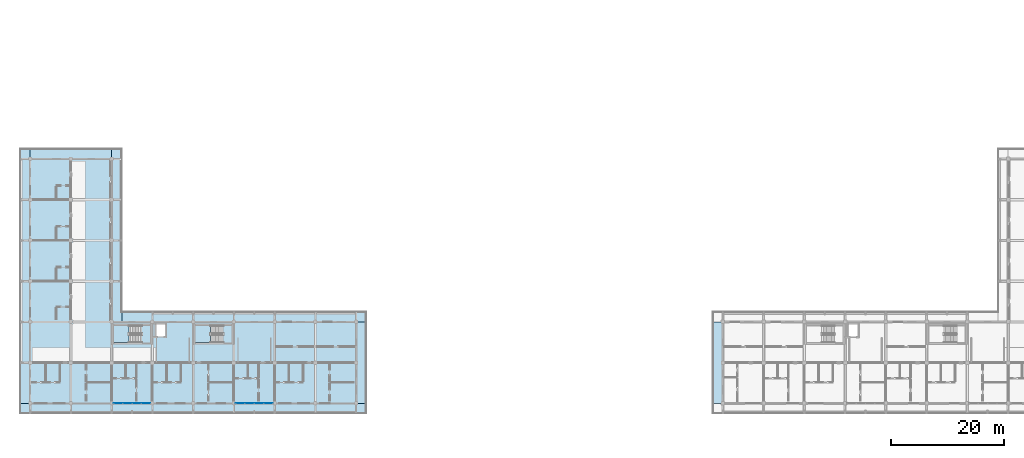
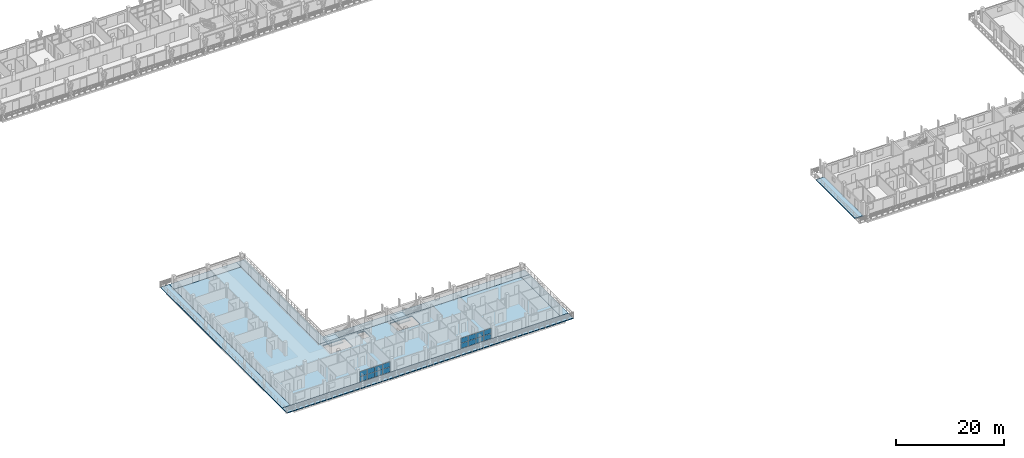
# One storey, part 33 of 76: 16 plates, 10 slabs, 4 elements without a shape of their own.
"""IFC4 building model written with IfcOpenShell, lengths in metres."""

import ifcopenshell
import ifcopenshell.guid

model = None  # the IFC model being written
_history = None  # IfcOwnerHistory: only IFC2X3 demands one
_inside = {}  # id of a spatial element -> (the spatial element, [elements in it])
_under = {}  # id of a project, library or spatial element -> (it, [spatial elements below it])
_declared = {}  # id of a project -> (the project, [libraries it declares])
_typed = {}  # id of a type object -> (the type object, [elements of that type])
_made_of = {}  # id of a material, layer set ... -> (it, [elements and type objects made of it])


def new_model(schema):
    """Start an empty IFC model of exactly this schema.

    Asked for "IFC4X3", IfcOpenShell would pick the latest addendum, in which some entities
    have other attributes; the version numbers below select the first issue.
    IFC2X3 requires an IfcOwnerHistory on every rooted entity: one is made here for all.
    """
    global model, _history
    if schema == "IFC4X3":
        model = ifcopenshell.file(schema_version=(4, 3, 0, 0))
    else:
        model = ifcopenshell.file(schema=schema)
    _inside.clear()
    _under.clear()
    _declared.clear()
    _typed.clear()
    _made_of.clear()
    _history = None
    if model.schema == "IFC2X3":
        org = make("IfcOrganization", Name="unknown")
        user = make(
            "IfcPersonAndOrganization",
            ThePerson=make("IfcPerson", FamilyName="unknown"),
            TheOrganization=org,
        )
        app = make(
            "IfcApplication",
            ApplicationDeveloper=org,
            Version="unknown",
            ApplicationFullName="unknown",
            ApplicationIdentifier="unknown",
        )
        _history = make(
            "IfcOwnerHistory",
            OwningUser=user,
            OwningApplication=app,
            ChangeAction="ADDED",
            CreationDate=0,
        )
    return model


def make(cls, **values):
    """One entity of the class cls with the attributes given. An attribute that is None is left unset."""
    return model.create_entity(
        cls, **{name: value for name, value in values.items() if value is not None}
    )


def rooted(cls, **values):
    """An entity with a GlobalId (a new one), such as an element, a storey or a relation."""
    return make(cls, GlobalId=ifcopenshell.guid.new(), OwnerHistory=_history, **values)


def si_unit(unit_type, name, prefix=None):
    """IfcSIUnit, for example si_unit("LENGTHUNIT", "METRE", prefix="MILLI")."""
    return make("IfcSIUnit", UnitType=unit_type, Prefix=prefix, Name=name)


def assignment(units):
    """IfcUnitAssignment: the units of a project."""
    return None if units is None else make("IfcUnitAssignment", Units=units)


def point(xyz):
    """IfcCartesianPoint."""
    return None if xyz is None else make("IfcCartesianPoint", Coordinates=xyz)


def direction(xyz):
    """IfcDirection."""
    return None if xyz is None else make("IfcDirection", DirectionRatios=xyz)


def frame(location, z_axis=None, x_axis=None):
    """IfcAxis2Placement3D, a coordinate frame: its origin and axes. An axis left out is left unset."""
    return make(
        "IfcAxis2Placement3D",
        Location=point(location),
        Axis=direction(z_axis),
        RefDirection=direction(x_axis),
    )


def frame_2d(location, x_axis=None):
    """IfcAxis2Placement2D, a coordinate frame in the plane: its origin and x axis."""
    return make(
        "IfcAxis2Placement2D", Location=point(location), RefDirection=direction(x_axis)
    )


def origin():
    """The frame at (0, 0, 0) with its axes left unset."""
    return frame((0.0, 0.0, 0.0))


def origin_2d():
    """The frame at (0, 0) in the plane with its x axis left unset."""
    return frame_2d((0.0, 0.0))


def place(relative_to, where):
    """IfcLocalPlacement: puts the frame where relative to a parent placement (None: the world)."""
    return make(
        "IfcLocalPlacement", PlacementRelTo=relative_to, RelativePlacement=where
    )


def context(
    kind, dimensions, precision=None, world=None, true_north=None, identifier=None
):
    """IfcGeometricRepresentationContext, for example the 3D "Model" context."""
    return make(
        "IfcGeometricRepresentationContext",
        ContextIdentifier=identifier,
        ContextType=kind,
        CoordinateSpaceDimension=dimensions,
        Precision=precision,
        WorldCoordinateSystem=world,
        TrueNorth=true_north,
    )


def subcontext(parent, identifier, kind, view, scale=None):
    """IfcGeometricRepresentationSubContext, for example "Body" below "Model"."""
    return make(
        "IfcGeometricRepresentationSubContext",
        ContextIdentifier=identifier,
        ContextType=kind,
        ParentContext=parent,
        TargetScale=scale,
        TargetView=view,
    )


def project(units=None, contexts=None):
    """IfcProject with its units and contexts."""
    return rooted(
        "IfcProject",
        Name="project",
        RepresentationContexts=contexts,
        UnitsInContext=assignment(units),
    )


def spatial(cls, under=None, at=None, **own):
    """A site, building, storey or space (cls), placed at a placement, below another one or the project."""
    s = rooted(cls, ObjectPlacement=at, **own)
    if under is not None:
        _under.setdefault(under.id(), (under, []))[1].append(s)
    return s


def polyline(points):
    """IfcPolyline through the points."""
    return make("IfcPolyline", Points=[point(p) for p in points])


def profile(cls, at=None, kind="AREA", **sizes):
    """A parametric profile (cls). Its sizes go by their IFC names, for example OverallWidth=200.0."""
    return make(cls, ProfileType=kind, Position=at, **sizes)


def rectangle(**sizes):
    """IfcRectangleProfileDef."""
    return profile("IfcRectangleProfileDef", **sizes)


def outline(outer, holes=None, kind="AREA"):
    """IfcArbitraryClosedProfileDef: a profile drawn as a closed curve; with holes, ...WithVoids."""
    if holes is None:
        return make("IfcArbitraryClosedProfileDef", ProfileType=kind, OuterCurve=outer)
    return make(
        "IfcArbitraryProfileDefWithVoids",
        ProfileType=kind,
        OuterCurve=outer,
        InnerCurves=holes,
    )


def extrude(swept, where, along, depth):
    """IfcExtrudedAreaSolid: the profile swept, set in the frame where, extruded along a direction by depth."""
    return make(
        "IfcExtrudedAreaSolid",
        SweptArea=swept,
        Position=where,
        ExtrudedDirection=direction(along),
        Depth=depth,
    )


def shape(context_of_items, identifier, shape_type, items):
    """IfcShapeRepresentation: the items that make up one representation, for example the "Body"."""
    return make(
        "IfcShapeRepresentation",
        ContextOfItems=context_of_items,
        RepresentationIdentifier=identifier,
        RepresentationType=shape_type,
        Items=items,
    )


def material(Name=None, Category=None):
    """IfcMaterial."""
    return make("IfcMaterial", Name=Name, Category=Category)


def layer(
    of_material, thickness, ventilated=None, Name=None, Category=None, Priority=None
):
    """IfcMaterialLayer: one layer of a wall or slab, of a material (None: an air gap)."""
    return make(
        "IfcMaterialLayer",
        Material=of_material,
        LayerThickness=thickness,
        IsVentilated=ventilated,
        Name=Name,
        Category=Category,
        Priority=Priority,
    )


def layer_set(layers, Name=None):
    """IfcMaterialLayerSet."""
    return make("IfcMaterialLayerSet", MaterialLayers=layers, LayerSetName=Name)


def made_of(thing, what):
    """Note that an element or type object is made of a material, layer set ...; save() writes the relation."""
    if what is not None:
        _made_of.setdefault(what.id(), (what, []))[1].append(thing)
    return thing


def type_object(cls, material=None, **own):
    """A type object (cls), such as IfcWallType, which elements share."""
    return made_of(rooted(cls, **own), material)


def element(
    cls,
    number,
    at=None,
    inside=None,
    cuts=None,
    type_object=None,
    material=None,
    context=None,
    identifier="Body",
    shape_type=None,
    held_by="IfcProductDefinitionShape",
    body=None,
    shapes=None,
    **own,
):
    """One element of the class cls, such as IfcWall. Its Tag is "e" and its number.

    at: its placement. inside: the storey or other place that contains it. cuts: it is an
    opening in that element (IfcRelVoidsElement). A single representation is given by context,
    identifier, shape_type and body (its items); several are given by shapes. held_by: the class
    of the entity that holds the representations. save() writes the other relations.
    """
    e = rooted(cls, Tag="e%d" % number, ObjectPlacement=at, **own)
    if body is not None:
        shapes = [shape(context, identifier, shape_type, body)]
    if shapes is not None:
        e.Representation = make(held_by, Representations=shapes)
    if inside is not None:
        _inside.setdefault(inside.id(), (inside, []))[1].append(e)
    if cuts is not None:
        rooted(
            "IfcRelVoidsElement", RelatingBuildingElement=cuts, RelatedOpeningElement=e
        )
    if type_object is not None:
        _typed.setdefault(type_object.id(), (type_object, []))[1].append(e)
    return made_of(e, material)


def aggregate(whole, parts):
    """IfcRelAggregates: a whole, such as a stair, and the parts it consists of."""
    return rooted("IfcRelAggregates", RelatingObject=whole, RelatedObjects=parts)


def save(model, path):
    """Write the relations noted so far, then the file.

    IfcRelAggregates (storeys below a building ...), IfcRelContainedInSpatialStructure (elements
    in a storey), IfcRelDefinesByType, IfcRelAssociatesMaterial and IfcRelDeclares: one each for
    every whole, place, type object, material and project.
    """
    for whole, parts in _under.values():
        aggregate(whole, parts)
    for where, things in _inside.values():
        rooted(
            "IfcRelContainedInSpatialStructure",
            RelatedElements=things,
            RelatingStructure=where,
        )
    for kind, things in _typed.values():
        rooted("IfcRelDefinesByType", RelatedObjects=things, RelatingType=kind)
    for what, things in _made_of.values():
        rooted("IfcRelAssociatesMaterial", RelatedObjects=things, RelatingMaterial=what)
    for by, libraries in _declared.values():
        rooted("IfcRelDeclares", RelatingContext=by, RelatedDefinitions=libraries)
    model.write(path)


model = new_model("IFC4")

# Units and contexts
model_context = context("Model", 3, precision=1e-05, world=origin(), true_north=direction((0.0, 1.0)))
body_context = subcontext(model_context, "Body", "Model", "MODEL_VIEW")
ifc_project = project(units=[si_unit("LENGTHUNIT", "METRE"), si_unit("AREAUNIT", "SQUARE_METRE"), si_unit("VOLUMEUNIT", "CUBIC_METRE"), si_unit("PLANEANGLEUNIT", "RADIAN"), si_unit("MASSUNIT", "GRAM", prefix="KILO")], contexts=[model_context])

# Site, building, storey
site_placement = place(None, origin())
site = spatial("IfcSite", under=ifc_project, at=site_placement, CompositionType="ELEMENT")
building_placement = place(site_placement, origin())
building = spatial("IfcBuilding", under=site, at=building_placement, Name="Suanplinth Sawtooth Commons", CompositionType="ELEMENT")
storey_placement = place(building_placement, frame((0.0, 0.0, 12.199951171875)))
storey = spatial("IfcBuildingStorey", under=building, at=storey_placement, Name="L03", CompositionType="ELEMENT", Elevation=12.199951171875)

# Curtain wall, plates
ifc_material_1 = material(Name="Anodized aluminium and low-E glazing", Category="aluminium")
curtain_wall_type = type_object("IfcCurtainWallType", Name="CW-06", PredefinedType="USERDEFINED", material=ifc_material_1)
curtain_wall_1_placement = place(storey_placement, origin())
curtain_wall_1 = element("IfcCurtainWall", 1, at=curtain_wall_1_placement, inside=storey, type_object=curtain_wall_type, Name="Curtain Wall CW-L03-D-LOUNGE-2", ObjectType="CURTAIN WALL", PredefinedType="USERDEFINED")
ifc_material_2 = material(Name="Tempered low-E double glazing", Category="glass")
ifc_layer_1 = layer(ifc_material_2, 0.028076171875, Name="Vision low-E insulated glazing unit 28mm")
ifc_layer_set_1 = layer_set([ifc_layer_1], Name="Tempered low-E double glazing")
plate_type = type_object("IfcPlateType", Name="PL-05", PredefinedType="CURTAIN_PANEL", material=ifc_layer_set_1)
plate_1_placement = place(storey_placement, frame((15.541259765625, 0.0, 0.06494140625), z_axis=(0.0, 0.0, 1.0), x_axis=(1.0, 0.0, 0.0)))
plate_1 = element("IfcPlate", 2, at=plate_1_placement, type_object=plate_type, Name="CW-06 panel 1.1", PredefinedType="CURTAIN_PANEL", context=body_context, shape_type="SweptSolid", body=[
    extrude(rectangle(XDim=1.552490234375, YDim=0.028076171875, at=origin_2d()), origin(), (0.0, 0.0, 1.0), 1.132568359375),
])
plate_2_placement = place(storey_placement, frame((15.541259765625, 0.0, 1.2626953125), z_axis=(0.0, 0.0, 1.0), x_axis=(1.0, 0.0, 0.0)))
plate_2 = element("IfcPlate", 3, at=plate_2_placement, type_object=plate_type, Name="CW-06 panel 1.2", PredefinedType="CURTAIN_PANEL", context=body_context, shape_type="SweptSolid", body=[
    extrude(rectangle(XDim=1.552490234375, YDim=0.028076171875, at=origin_2d()), origin(), (0.0, 0.0, 1.0), 1.132568359375),
])
plate_3_placement = place(storey_placement, frame((17.175048828125, 0.0, 0.06494140625), z_axis=(0.0, 0.0, 1.0), x_axis=(1.0, 0.0, 0.0)))
plate_3 = element("IfcPlate", 4, at=plate_3_placement, type_object=plate_type, Name="CW-06 panel 2.1", PredefinedType="CURTAIN_PANEL", context=body_context, shape_type="SweptSolid", body=[
    extrude(rectangle(XDim=1.5849609375, YDim=0.028076171875, at=origin_2d()), origin(), (0.0, 0.0, 1.0), 1.132568359375),
])
plate_4_placement = place(storey_placement, frame((17.175048828125, 0.0, 1.2626953125), z_axis=(0.0, 0.0, 1.0), x_axis=(1.0, 0.0, 0.0)))
plate_4 = element("IfcPlate", 5, at=plate_4_placement, type_object=plate_type, Name="CW-06 panel 2.2", PredefinedType="CURTAIN_PANEL", context=body_context, shape_type="SweptSolid", body=[
    extrude(rectangle(XDim=1.5849609375, YDim=0.028076171875, at=origin_2d()), origin(), (0.0, 0.0, 1.0), 1.132568359375),
])
plate_5_placement = place(storey_placement, frame((18.824951171875, 0.0, 0.06494140625), z_axis=(0.0, 0.0, 1.0), x_axis=(1.0, 0.0, 0.0)))
plate_5 = element("IfcPlate", 6, at=plate_5_placement, type_object=plate_type, Name="CW-06 panel 3.1", PredefinedType="CURTAIN_PANEL", context=body_context, shape_type="SweptSolid", body=[
    extrude(rectangle(XDim=1.5849609375, YDim=0.028076171875, at=origin_2d()), origin(), (0.0, 0.0, 1.0), 1.132568359375),
])
plate_6_placement = place(storey_placement, frame((18.824951171875, 0.0, 1.2626953125), z_axis=(0.0, 0.0, 1.0), x_axis=(1.0, 0.0, 0.0)))
plate_6 = element("IfcPlate", 7, at=plate_6_placement, type_object=plate_type, Name="CW-06 panel 3.2", PredefinedType="CURTAIN_PANEL", context=body_context, shape_type="SweptSolid", body=[
    extrude(rectangle(XDim=1.5849609375, YDim=0.028076171875, at=origin_2d()), origin(), (0.0, 0.0, 1.0), 1.132568359375),
])
plate_7_placement = place(storey_placement, frame((20.458740234375, 0.0, 0.06494140625), z_axis=(0.0, 0.0, 1.0), x_axis=(1.0, 0.0, 0.0)))
plate_7 = element("IfcPlate", 8, at=plate_7_placement, type_object=plate_type, Name="CW-06 panel 4.1", PredefinedType="CURTAIN_PANEL", context=body_context, shape_type="SweptSolid", body=[
    extrude(rectangle(XDim=1.552490234375, YDim=0.028076171875, at=origin_2d()), origin(), (0.0, 0.0, 1.0), 1.132568359375),
])
plate_8_placement = place(storey_placement, frame((20.458740234375, 0.0, 1.2626953125), z_axis=(0.0, 0.0, 1.0), x_axis=(1.0, 0.0, 0.0)))
plate_8 = element("IfcPlate", 9, at=plate_8_placement, type_object=plate_type, Name="CW-06 panel 4.2", PredefinedType="CURTAIN_PANEL", context=body_context, shape_type="SweptSolid", body=[
    extrude(rectangle(XDim=1.552490234375, YDim=0.028076171875, at=origin_2d()), origin(), (0.0, 0.0, 1.0), 1.132568359375),
])
aggregate(curtain_wall_1, [plate_1, plate_2, plate_3, plate_4, plate_5, plate_6, plate_7, plate_8])

curtain_wall_2_placement = place(storey_placement, origin())
curtain_wall_2 = element("IfcCurtainWall", 10, at=curtain_wall_2_placement, inside=storey, type_object=curtain_wall_type, Name="Curtain Wall CW-L03-D-LOUNGE-5", ObjectType="CURTAIN WALL", PredefinedType="USERDEFINED")
plate_9_placement = place(storey_placement, frame((37.141357421875, 0.0, 0.06494140625), z_axis=(0.0, 0.0, 1.0), x_axis=(1.0, 0.0, 0.0)))
plate_9 = element("IfcPlate", 11, at=plate_9_placement, type_object=plate_type, Name="CW-06 panel 1.1", PredefinedType="CURTAIN_PANEL", context=body_context, shape_type="SweptSolid", body=[
    extrude(rectangle(XDim=1.552490234375, YDim=0.028076171875, at=origin_2d()), origin(), (0.0, 0.0, 1.0), 1.132568359375),
])
plate_10_placement = place(storey_placement, frame((37.141357421875, 0.0, 1.2626953125), z_axis=(0.0, 0.0, 1.0), x_axis=(1.0, 0.0, 0.0)))
plate_10 = element("IfcPlate", 12, at=plate_10_placement, type_object=plate_type, Name="CW-06 panel 1.2", PredefinedType="CURTAIN_PANEL", context=body_context, shape_type="SweptSolid", body=[
    extrude(rectangle(XDim=1.552490234375, YDim=0.028076171875, at=origin_2d()), origin(), (0.0, 0.0, 1.0), 1.132568359375),
])
plate_11_placement = place(storey_placement, frame((38.77490234375, 0.0, 0.06494140625), z_axis=(0.0, 0.0, 1.0), x_axis=(1.0, 0.0, 0.0)))
plate_11 = element("IfcPlate", 13, at=plate_11_placement, type_object=plate_type, Name="CW-06 panel 2.1", PredefinedType="CURTAIN_PANEL", context=body_context, shape_type="SweptSolid", body=[
    extrude(rectangle(XDim=1.5849609375, YDim=0.028076171875, at=origin_2d()), origin(), (0.0, 0.0, 1.0), 1.132568359375),
])
plate_12_placement = place(storey_placement, frame((38.77490234375, 0.0, 1.2626953125), z_axis=(0.0, 0.0, 1.0), x_axis=(1.0, 0.0, 0.0)))
plate_12 = element("IfcPlate", 14, at=plate_12_placement, type_object=plate_type, Name="CW-06 panel 2.2", PredefinedType="CURTAIN_PANEL", context=body_context, shape_type="SweptSolid", body=[
    extrude(rectangle(XDim=1.5849609375, YDim=0.028076171875, at=origin_2d()), origin(), (0.0, 0.0, 1.0), 1.132568359375),
])
plate_13_placement = place(storey_placement, frame((40.425048828125, 0.0, 0.06494140625), z_axis=(0.0, 0.0, 1.0), x_axis=(1.0, 0.0, 0.0)))
plate_13 = element("IfcPlate", 15, at=plate_13_placement, type_object=plate_type, Name="CW-06 panel 3.1", PredefinedType="CURTAIN_PANEL", context=body_context, shape_type="SweptSolid", body=[
    extrude(rectangle(XDim=1.5849609375, YDim=0.028076171875, at=origin_2d()), origin(), (0.0, 0.0, 1.0), 1.132568359375),
])
plate_14_placement = place(storey_placement, frame((40.425048828125, 0.0, 1.2626953125), z_axis=(0.0, 0.0, 1.0), x_axis=(1.0, 0.0, 0.0)))
plate_14 = element("IfcPlate", 16, at=plate_14_placement, type_object=plate_type, Name="CW-06 panel 3.2", PredefinedType="CURTAIN_PANEL", context=body_context, shape_type="SweptSolid", body=[
    extrude(rectangle(XDim=1.5849609375, YDim=0.028076171875, at=origin_2d()), origin(), (0.0, 0.0, 1.0), 1.132568359375),
])
plate_15_placement = place(storey_placement, frame((42.058837890625, 0.0, 0.06494140625), z_axis=(0.0, 0.0, 1.0), x_axis=(1.0, 0.0, 0.0)))
plate_15 = element("IfcPlate", 17, at=plate_15_placement, type_object=plate_type, Name="CW-06 panel 4.1", PredefinedType="CURTAIN_PANEL", context=body_context, shape_type="SweptSolid", body=[
    extrude(rectangle(XDim=1.552490234375, YDim=0.028076171875, at=origin_2d()), origin(), (0.0, 0.0, 1.0), 1.132568359375),
])
plate_16_placement = place(storey_placement, frame((42.058837890625, 0.0, 1.2626953125), z_axis=(0.0, 0.0, 1.0), x_axis=(1.0, 0.0, 0.0)))
plate_16 = element("IfcPlate", 18, at=plate_16_placement, type_object=plate_type, Name="CW-06 panel 4.2", PredefinedType="CURTAIN_PANEL", context=body_context, shape_type="SweptSolid", body=[
    extrude(rectangle(XDim=1.552490234375, YDim=0.028076171875, at=origin_2d()), origin(), (0.0, 0.0, 1.0), 1.132568359375),
])
aggregate(curtain_wall_2, [plate_9, plate_10, plate_11, plate_12, plate_13, plate_14, plate_15, plate_16])

# Slabs
ifc_material_3 = material(Name="Precast concrete C40/50", Category="concrete")
ifc_layer_2 = layer(ifc_material_3, 0.179931640625, Name="Wrap-around cantilevered precast balcony slab 180mm")
ifc_layer_set_2 = layer_set([ifc_layer_2], Name="Precast concrete C40/50")
slab_type_1 = type_object("IfcSlabType", Name="S-BL01", PredefinedType="FLOOR", material=ifc_layer_set_2)
slab_1_placement = place(storey_placement, frame((0.0, 0.0, -0.179931640625)))
element("IfcSlab", 19, at=slab_1_placement, inside=storey, type_object=slab_type_1, Name="L03 Block C Wrap-Around Balcony WEND", PredefinedType="FLOOR", context=body_context, shape_type="SweptSolid", body=[
    extrude(outline(polyline([(122.39990234375, 0.0), (120.60009765625, 0.0), (120.60009765625, 14.39990234375), (122.39990234375, 14.39990234375), (122.39990234375, 0.0)])), origin(), (0.0, 0.0, 1.0), 0.179931640625),
])
slab_2_placement = place(storey_placement, frame((0.0, 0.0, -0.179931640625)))
element("IfcSlab", 20, at=slab_2_placement, inside=storey, type_object=slab_type_1, Name="L03 Block D Wrap-Around Balcony S", PredefinedType="FLOOR", context=body_context, shape_type="SweptSolid", body=[
    extrude(outline(polyline([(59.39990234375, 0.0), (59.39990234375, -1.800048828125), (-1.800048828125, -1.800048828125), (-1.800048828125, 0.0), (59.39990234375, 0.0)])), origin(), (0.0, 0.0, 1.0), 0.179931640625),
])
slab_3_placement = place(storey_placement, frame((0.0, 0.0, -0.179931640625)))
element("IfcSlab", 21, at=slab_3_placement, inside=storey, type_object=slab_type_1, Name="L03 Block D Wrap-Around Balcony W", PredefinedType="FLOOR", context=body_context, shape_type="SweptSolid", body=[
    extrude(outline(polyline([(0.0, 0.0), (-1.800048828125, 0.0), (-1.800048828125, 45.0), (0.0, 45.0), (0.0, 0.0)])), origin(), (0.0, 0.0, 1.0), 0.179931640625),
])
slab_4_placement = place(storey_placement, frame((0.0, 0.0, -0.179931640625)))
element("IfcSlab", 22, at=slab_4_placement, inside=storey, type_object=slab_type_1, Name="L03 Block D Wrap-Around Balcony EEND", PredefinedType="FLOOR", context=body_context, shape_type="SweptSolid", body=[
    extrude(outline(polyline([(59.39990234375, 14.39990234375), (59.39990234375, 0.0), (57.60009765625, 0.0), (57.60009765625, 14.39990234375), (59.39990234375, 14.39990234375)])), origin(), (0.0, 0.0, 1.0), 0.179931640625),
])
slab_5_placement = place(storey_placement, frame((0.0, 0.0, -0.179931640625)))
element("IfcSlab", 23, at=slab_5_placement, inside=storey, type_object=slab_type_1, Name="L03 Block D Wrap-Around Balcony NEND", PredefinedType="FLOOR", context=body_context, shape_type="SweptSolid", body=[
    extrude(outline(polyline([(0.0, 45.0), (14.39990234375, 45.0), (14.39990234375, 43.199951171875), (0.0, 43.199951171875), (0.0, 45.0)])), origin(), (0.0, 0.0, 1.0), 0.179931640625),
])
ifc_layer_3 = layer(ifc_material_3, 0.175048828125, Name="Courtyard cantilevered precast balcony slab 175mm")
ifc_layer_set_3 = layer_set([ifc_layer_3], Name="Precast concrete C40/50")
slab_type_2 = type_object("IfcSlabType", Name="S-BL02", PredefinedType="FLOOR", material=ifc_layer_set_3)
slab_6_placement = place(storey_placement, frame((0.0, 0.0, -0.175048828125)))
element("IfcSlab", 24, at=slab_6_placement, inside=storey, type_object=slab_type_2, Name="L03 Block D Wrap-Around Balcony NC", PredefinedType="FLOOR", context=body_context, shape_type="SweptSolid", body=[
    extrude(outline(polyline([(16.199951171875, 16.199951171875), (59.39990234375, 16.199951171875), (59.39990234375, 14.39990234375), (16.199951171875, 14.39990234375), (16.199951171875, 16.199951171875)])), origin(), (0.0, 0.0, 1.0), 0.175048828125),
])
slab_7_placement = place(storey_placement, frame((0.0, 0.0, -0.175048828125)))
element("IfcSlab", 25, at=slab_7_placement, inside=storey, type_object=slab_type_2, Name="L03 Block D Wrap-Around Balcony EC", PredefinedType="FLOOR", context=body_context, shape_type="SweptSolid", body=[
    extrude(outline(polyline([(14.39990234375, 45.0), (16.199951171875, 45.0), (16.199951171875, 14.39990234375), (14.39990234375, 14.39990234375), (14.39990234375, 45.0)])), origin(), (0.0, 0.0, 1.0), 0.175048828125),
])
ifc_layer_4 = layer(ifc_material_3, 0.239990234375, Name="Precast hollow-core + topping floor slab 240mm")
ifc_layer_set_4 = layer_set([ifc_layer_4], Name="Precast concrete C40/50")
slab_type_3 = type_object("IfcSlabType", Name="S-FL02", PredefinedType="FLOOR", material=ifc_layer_set_4)
slab_8_placement = place(storey_placement, frame((0.0, 0.0, -0.239990234375)))
element("IfcSlab", 26, at=slab_8_placement, inside=storey, type_object=slab_type_3, Name="L03 Block D Structural Floor Plate", PredefinedType="FLOOR", context=body_context, shape_type="SweptSolid", body=[
    extrude(outline(polyline([(0.0, 0.0), (0.0, 43.199951171875), (14.39990234375, 43.199951171875), (14.39990234375, 14.39990234375), (57.60009765625, 14.39990234375), (57.60009765625, 0.0), (0.0, 0.0)]), holes=[polyline([(14.75, 10.75), (19.510009765625, 10.75), (19.510009765625, 13.75), (14.75, 13.75), (14.75, 10.75)]), polyline([(22.25, 11.85009765625), (23.85009765625, 11.85009765625), (23.85009765625, 13.949951171875), (22.25, 13.949951171875), (22.25, 11.85009765625)]), polyline([(29.14990234375, 10.75), (33.909912109375, 10.75), (33.909912109375, 13.75), (29.14990234375, 13.75), (29.14990234375, 10.75)])]), origin(), (0.0, 0.0, 1.0), 0.239990234375),
])

# Stair, slab
ifc_material_4 = material(Name="Concrete C40/50", Category="concrete")
stair_type = type_object("IfcStairType", Name="ST-07", PredefinedType="USERDEFINED", material=ifc_material_4)
stair_1_placement = place(storey_placement, origin())
stair_1 = element("IfcStair", 27, at=stair_1_placement, inside=storey, type_object=stair_type, Name="L03 Exit Stair ST-W1", ObjectType="TWO_RETURN_STAIR", PredefinedType="USERDEFINED")
ifc_layer_5 = layer(ifc_material_4, 0.199951171875, Name="Reinforced concrete stair and ramp landing slab 200mm")
ifc_layer_set_5 = layer_set([ifc_layer_5], Name="Concrete C40/50")
slab_type_4 = type_object("IfcSlabType", Name="S-LD01", PredefinedType="LANDING", material=ifc_layer_set_5)
slab_9_placement = place(storey_placement, frame((0.0, 0.0, 1.400146484375)))
slab_9 = element("IfcSlab", 28, at=slab_9_placement, type_object=slab_type_4, Name="ST-07 landing 1", PredefinedType="LANDING", context=body_context, shape_type="SweptSolid", body=[
    extrude(outline(polyline([(17.469970703125, 13.75), (14.75, 13.75), (14.75, 10.75), (17.469970703125, 10.75), (17.469970703125, 13.75)])), origin(), (0.0, 0.0, 1.0), 0.199951171875),
])
aggregate(stair_1, [slab_9])

stair_2_placement = place(storey_placement, origin())
stair_2 = element("IfcStair", 29, at=stair_2_placement, inside=storey, type_object=stair_type, Name="L03 Exit Stair ST-W2", ObjectType="TWO_RETURN_STAIR", PredefinedType="USERDEFINED")
slab_10_placement = place(storey_placement, frame((0.0, 0.0, 1.400146484375)))
slab_10 = element("IfcSlab", 30, at=slab_10_placement, type_object=slab_type_4, Name="ST-07 landing 1", PredefinedType="LANDING", context=body_context, shape_type="SweptSolid", body=[
    extrude(outline(polyline([(31.8701171875, 13.75), (29.14990234375, 13.75), (29.14990234375, 10.75), (31.8701171875, 10.75), (31.8701171875, 13.75)])), origin(), (0.0, 0.0, 1.0), 0.199951171875),
])
aggregate(stair_2, [slab_10])

save(model, "model.ifc")
